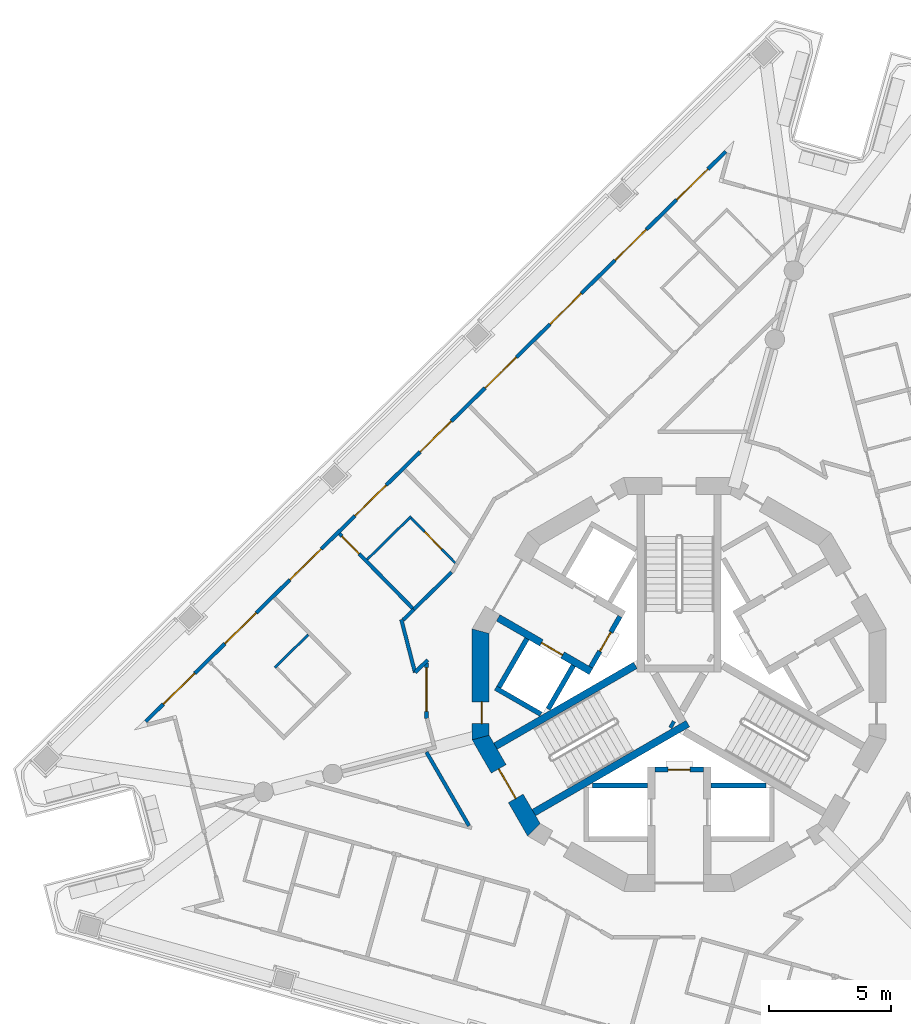
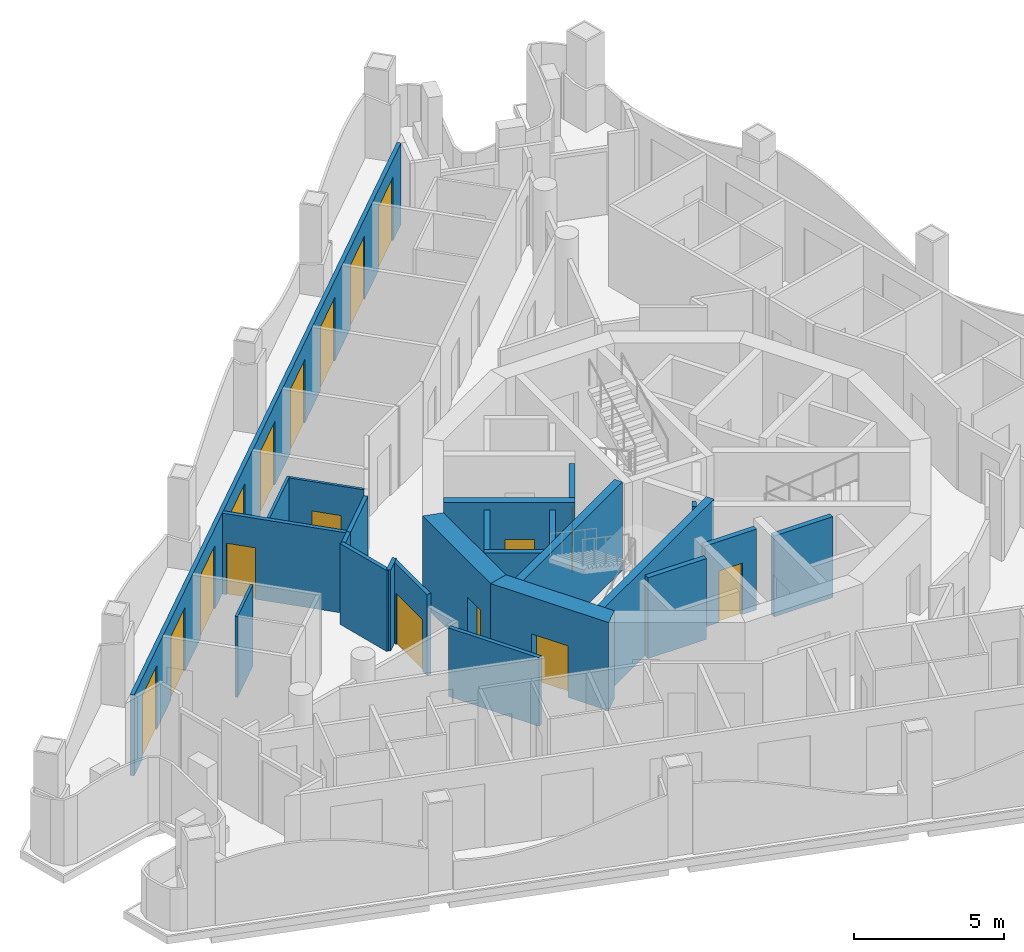
# One storey, part 4 of 15: 24 walls, 17 doors, 17 openings.
"""IFC4 building model written with IfcOpenShell, lengths in metres."""

from ifc_helpers import new_model, si_unit, direction, frame, frame_2d, origin, place, context, subcontext, project, spatial, polyline, rectangle, outline, extrude, material, layer, layer_set, type_object, element, fill, save


model = new_model("IFC4")

# Units and contexts
model_context = context("Model", 3, precision=1e-05, world=origin(), true_north=direction((0.0, 1.0)))
body_context = subcontext(model_context, "Body", "Model", "MODEL_VIEW")
ifc_project = project(units=[si_unit("LENGTHUNIT", "METRE"), si_unit("AREAUNIT", "SQUARE_METRE"), si_unit("VOLUMEUNIT", "CUBIC_METRE"), si_unit("PLANEANGLEUNIT", "RADIAN"), si_unit("MASSUNIT", "GRAM", prefix="KILO")], contexts=[model_context])

# Site, building, storey
site_placement = place(None, origin())
site = spatial("IfcSite", under=ifc_project, at=site_placement, CompositionType="ELEMENT")
building_placement = place(site_placement, origin())
building = spatial("IfcBuilding", under=site, at=building_placement, Name="Trine Commons Tower", CompositionType="ELEMENT")
storey_placement = place(building_placement, frame((0.0, 0.0, 260.10009765625)))
storey = spatial("IfcBuildingStorey", under=building, at=storey_placement, Name="L68", CompositionType="ELEMENT", Elevation=260.10009765625)

# Wall, openings, doors
ifc_material_1 = material(Name="Aluminium-framed insulated wall panel", Category="aluminium")
ifc_layer_1 = layer(ifc_material_1, 0.14990234375)
ifc_layer_set_1 = layer_set([ifc_layer_1], Name="Aluminium-framed insulated wall panel")
wall_type_1 = type_object("IfcWallType", Name="Glazed frame wall 150, EI 60", PredefinedType="SOLIDWALL", material=ifc_layer_set_1)
wall_1_placement = place(storey_placement, frame((57.98974609375, 60.867431640625, 0.0), z_axis=(0.0, 0.0, 1.0), x_axis=(0.713254682671, 0.700904956216, 0.0)))
wall_1 = element("IfcWall", 1, at=wall_1_placement, inside=storey, type_object=wall_type_1, Name="Glazed frame wall F1", PredefinedType="SOLIDWALL", context=body_context, shape_type="SweptSolid", body=[
    extrude(outline(polyline([(0.1494140625, 0.074951171875), (0.1494140625, -0.074951171875), (33.536865234375, -0.074951171875), (33.536865234375, 0.074951171875), (0.1494140625, 0.074951171875)])), origin(), (0.0, 0.0, 1.0), 3.2998046875),
])
opening_1_placement = place(wall_1_placement, frame((1.17138671875, 0.0, 0.0)))
opening_1 = element("IfcOpeningElement", 2, at=opening_1_placement, cuts=wall_1, Name="Opening BD-7F1-01", PredefinedType="OPENING", context=body_context, shape_type="SweptSolid", body=[
    extrude(rectangle(XDim=1.800048828125, YDim=2.60009765625, at=frame_2d((0.89990234375, 1.300048828125))), frame((0.0, 0.0849609375, 0.0), z_axis=(0.0, -1.0, 0.0), x_axis=(1.0, 0.0, 0.0)), (0.0, 0.0, 1.0), 0.169921875),
])
opening_2_placement = place(wall_1_placement, frame((4.71435546875, 0.0, 0.0)))
opening_2 = element("IfcOpeningElement", 3, at=opening_2_placement, cuts=wall_1, Name="Opening BD-7F1-02", PredefinedType="OPENING", context=body_context, shape_type="SweptSolid", body=[
    extrude(rectangle(XDim=1.800048828125, YDim=2.60009765625, at=frame_2d((0.89990234375, 1.300048828125))), frame((0.0, 0.0849609375, 0.0), z_axis=(0.0, -1.0, 0.0), x_axis=(1.0, 0.0, 0.0)), (0.0, 0.0, 1.0), 0.169921875),
])
opening_3_placement = place(wall_1_placement, frame((8.457275390625, 0.0, 0.0)))
opening_3 = element("IfcOpeningElement", 4, at=opening_3_placement, cuts=wall_1, Name="Opening BD-7F1-03", PredefinedType="OPENING", context=body_context, shape_type="SweptSolid", body=[
    extrude(rectangle(XDim=1.800048828125, YDim=2.60009765625, at=frame_2d((0.89990234375, 1.300048828125))), frame((0.0, 0.0849609375, 0.0), z_axis=(0.0, -1.0, 0.0), x_axis=(1.0, 0.0, 0.0)), (0.0, 0.0, 1.0), 0.169921875),
])
opening_4_placement = place(wall_1_placement, frame((12.2001953125, 0.0, 0.0)))
opening_4 = element("IfcOpeningElement", 5, at=opening_4_placement, cuts=wall_1, Name="Opening BD-7F1-04", PredefinedType="OPENING", context=body_context, shape_type="SweptSolid", body=[
    extrude(rectangle(XDim=1.800048828125, YDim=2.60009765625, at=frame_2d((0.89990234375, 1.300048828125))), frame((0.0, 0.0849609375, 0.0), z_axis=(0.0, -1.0, 0.0), x_axis=(1.0, 0.0, 0.0)), (0.0, 0.0, 1.0), 0.169921875),
])
opening_5_placement = place(wall_1_placement, frame((15.943115234375, 0.0, 0.0)))
opening_5 = element("IfcOpeningElement", 6, at=opening_5_placement, cuts=wall_1, Name="Opening BD-7F1-05", PredefinedType="OPENING", context=body_context, shape_type="SweptSolid", body=[
    extrude(rectangle(XDim=1.800048828125, YDim=2.60009765625, at=frame_2d((0.89990234375, 1.300048828125))), frame((0.0, 0.0849609375, 0.0), z_axis=(0.0, -1.0, 0.0), x_axis=(1.0, 0.0, 0.0)), (0.0, 0.0, 1.0), 0.169921875),
])
opening_6_placement = place(wall_1_placement, frame((19.68603515625, 0.0, 0.0)))
opening_6 = element("IfcOpeningElement", 7, at=opening_6_placement, cuts=wall_1, Name="Opening BD-7F1-06", PredefinedType="OPENING", context=body_context, shape_type="SweptSolid", body=[
    extrude(rectangle(XDim=1.800048828125, YDim=2.60009765625, at=frame_2d((0.89990234375, 1.300048828125))), frame((0.0, 0.0849609375, 0.0), z_axis=(0.0, -1.0, 0.0), x_axis=(1.0, 0.0, 0.0)), (0.0, 0.0, 1.0), 0.169921875),
])
opening_7_placement = place(wall_1_placement, frame((23.428955078125, 0.0, 0.0)))
opening_7 = element("IfcOpeningElement", 8, at=opening_7_placement, cuts=wall_1, Name="Opening BD-7F1-07", PredefinedType="OPENING", context=body_context, shape_type="SweptSolid", body=[
    extrude(rectangle(XDim=1.800048828125, YDim=2.60009765625, at=frame_2d((0.89990234375, 1.300048828125))), frame((0.0, 0.0849609375, 0.0), z_axis=(0.0, -1.0, 0.0), x_axis=(1.0, 0.0, 0.0)), (0.0, 0.0, 1.0), 0.169921875),
])
opening_8_placement = place(wall_1_placement, frame((27.171875, 0.0, 0.0)))
opening_8 = element("IfcOpeningElement", 9, at=opening_8_placement, cuts=wall_1, Name="Opening BD-7F1-08", PredefinedType="OPENING", context=body_context, shape_type="SweptSolid", body=[
    extrude(rectangle(XDim=1.800048828125, YDim=2.60009765625, at=frame_2d((0.89990234375, 1.300048828125))), frame((0.0, 0.0849609375, 0.0), z_axis=(0.0, -1.0, 0.0), x_axis=(1.0, 0.0, 0.0)), (0.0, 0.0, 1.0), 0.169921875),
])
opening_9_placement = place(wall_1_placement, frame((30.714599609375, 0.0, 0.0)))
opening_9 = element("IfcOpeningElement", 10, at=opening_9_placement, cuts=wall_1, Name="Opening BD-7F1-09", PredefinedType="OPENING", context=body_context, shape_type="SweptSolid", body=[
    extrude(rectangle(XDim=1.800048828125, YDim=2.60009765625, at=frame_2d((0.89990234375, 1.300048828125))), frame((0.0, 0.0849609375, 0.0), z_axis=(0.0, -1.0, 0.0), x_axis=(1.0, 0.0, 0.0)), (0.0, 0.0, 1.0), 0.169921875),
])
ifc_material_2 = material(Name="Anodised aluminium frame with double glazing", Category="aluminium")
door_type_1 = type_object("IfcDoorType", Name="Sliding loggia door 1800x2600", OperationType="SLIDING_TO_LEFT", PredefinedType="DOOR", material=ifc_material_2)
door_1_placement = place(opening_1_placement, origin())
door_1 = element("IfcDoor", 11, at=door_1_placement, inside=storey, type_object=door_type_1, Name="Loggia door F1 1", OperationType="SLIDING_TO_LEFT", OverallHeight=2.60009765625, OverallWidth=1.800048828125, PredefinedType="DOOR", context=body_context, shape_type="SweptSolid", body=[
    extrude(rectangle(XDim=1.800048828125, YDim=2.60009765625, at=frame_2d((0.89990234375, 1.300048828125))), frame((0.0, 0.02490234375, 0.0), z_axis=(0.0, -1.0, 0.0), x_axis=(1.0, 0.0, 0.0)), (0.0, 0.0, 1.0), 0.050048828125),
])
fill(opening_1, door_1)
door_2_placement = place(opening_2_placement, origin())
door_2 = element("IfcDoor", 12, at=door_2_placement, inside=storey, type_object=door_type_1, Name="Loggia door F1 2", OperationType="SLIDING_TO_LEFT", OverallHeight=2.60009765625, OverallWidth=1.800048828125, PredefinedType="DOOR", context=body_context, shape_type="SweptSolid", body=[
    extrude(rectangle(XDim=1.800048828125, YDim=2.60009765625, at=frame_2d((0.89990234375, 1.300048828125))), frame((0.0, 0.02490234375, 0.0), z_axis=(0.0, -1.0, 0.0), x_axis=(1.0, 0.0, 0.0)), (0.0, 0.0, 1.0), 0.050048828125),
])
fill(opening_2, door_2)
door_3_placement = place(opening_3_placement, origin())
door_3 = element("IfcDoor", 13, at=door_3_placement, inside=storey, type_object=door_type_1, Name="Loggia door F1 3", OperationType="SLIDING_TO_LEFT", OverallHeight=2.60009765625, OverallWidth=1.800048828125, PredefinedType="DOOR", context=body_context, shape_type="SweptSolid", body=[
    extrude(rectangle(XDim=1.800048828125, YDim=2.60009765625, at=frame_2d((0.89990234375, 1.300048828125))), frame((0.0, 0.02490234375, 0.0), z_axis=(0.0, -1.0, 0.0), x_axis=(1.0, 0.0, 0.0)), (0.0, 0.0, 1.0), 0.050048828125),
])
fill(opening_3, door_3)
door_4_placement = place(opening_4_placement, origin())
door_4 = element("IfcDoor", 14, at=door_4_placement, inside=storey, type_object=door_type_1, Name="Loggia door F1 4", OperationType="SLIDING_TO_LEFT", OverallHeight=2.60009765625, OverallWidth=1.800048828125, PredefinedType="DOOR", context=body_context, shape_type="SweptSolid", body=[
    extrude(rectangle(XDim=1.800048828125, YDim=2.60009765625, at=frame_2d((0.89990234375, 1.300048828125))), frame((0.0, 0.02490234375, 0.0), z_axis=(0.0, -1.0, 0.0), x_axis=(1.0, 0.0, 0.0)), (0.0, 0.0, 1.0), 0.050048828125),
])
fill(opening_4, door_4)
door_5_placement = place(opening_5_placement, origin())
door_5 = element("IfcDoor", 15, at=door_5_placement, inside=storey, type_object=door_type_1, Name="Loggia door F1 5", OperationType="SLIDING_TO_LEFT", OverallHeight=2.60009765625, OverallWidth=1.800048828125, PredefinedType="DOOR", context=body_context, shape_type="SweptSolid", body=[
    extrude(rectangle(XDim=1.800048828125, YDim=2.60009765625, at=frame_2d((0.89990234375, 1.300048828125))), frame((0.0, 0.02490234375, 0.0), z_axis=(0.0, -1.0, 0.0), x_axis=(1.0, 0.0, 0.0)), (0.0, 0.0, 1.0), 0.050048828125),
])
fill(opening_5, door_5)
door_6_placement = place(opening_6_placement, origin())
door_6 = element("IfcDoor", 16, at=door_6_placement, inside=storey, type_object=door_type_1, Name="Loggia door F1 6", OperationType="SLIDING_TO_LEFT", OverallHeight=2.60009765625, OverallWidth=1.800048828125, PredefinedType="DOOR", context=body_context, shape_type="SweptSolid", body=[
    extrude(rectangle(XDim=1.800048828125, YDim=2.60009765625, at=frame_2d((0.89990234375, 1.300048828125))), frame((0.0, 0.02490234375, 0.0), z_axis=(0.0, -1.0, 0.0), x_axis=(1.0, 0.0, 0.0)), (0.0, 0.0, 1.0), 0.050048828125),
])
fill(opening_6, door_6)
door_7_placement = place(opening_7_placement, origin())
door_7 = element("IfcDoor", 17, at=door_7_placement, inside=storey, type_object=door_type_1, Name="Loggia door F1 7", OperationType="SLIDING_TO_LEFT", OverallHeight=2.60009765625, OverallWidth=1.800048828125, PredefinedType="DOOR", context=body_context, shape_type="SweptSolid", body=[
    extrude(rectangle(XDim=1.800048828125, YDim=2.60009765625, at=frame_2d((0.89990234375, 1.300048828125))), frame((0.0, 0.02490234375, 0.0), z_axis=(0.0, -1.0, 0.0), x_axis=(1.0, 0.0, 0.0)), (0.0, 0.0, 1.0), 0.050048828125),
])
fill(opening_7, door_7)
door_8_placement = place(opening_8_placement, origin())
door_8 = element("IfcDoor", 18, at=door_8_placement, inside=storey, type_object=door_type_1, Name="Loggia door F1 8", OperationType="SLIDING_TO_LEFT", OverallHeight=2.60009765625, OverallWidth=1.800048828125, PredefinedType="DOOR", context=body_context, shape_type="SweptSolid", body=[
    extrude(rectangle(XDim=1.800048828125, YDim=2.60009765625, at=frame_2d((0.89990234375, 1.300048828125))), frame((0.0, 0.02490234375, 0.0), z_axis=(0.0, -1.0, 0.0), x_axis=(1.0, 0.0, 0.0)), (0.0, 0.0, 1.0), 0.050048828125),
])
fill(opening_8, door_8)
door_9_placement = place(opening_9_placement, origin())
door_9 = element("IfcDoor", 19, at=door_9_placement, inside=storey, type_object=door_type_1, Name="Loggia door F1 9", OperationType="SLIDING_TO_LEFT", OverallHeight=2.60009765625, OverallWidth=1.800048828125, PredefinedType="DOOR", context=body_context, shape_type="SweptSolid", body=[
    extrude(rectangle(XDim=1.800048828125, YDim=2.60009765625, at=frame_2d((0.89990234375, 1.300048828125))), frame((0.0, 0.02490234375, 0.0), z_axis=(0.0, -1.0, 0.0), x_axis=(1.0, 0.0, 0.0)), (0.0, 0.0, 1.0), 0.050048828125),
])
fill(opening_9, door_9)

# Wall, opening, door
ifc_material_3 = material(Name="Fire-rated gypsum shaft wall system")
ifc_layer_2 = layer(ifc_material_3, 0.199951171875)
ifc_layer_set_2 = layer_set([ifc_layer_2], Name="Fire-rated gypsum shaft wall system")
wall_type_2 = type_object("IfcWallType", Name="Lobby end wall 200 mm, EI 120", PredefinedType="PARTITIONING", material=ifc_layer_set_2)
wall_2_placement = place(storey_placement, frame((77.569091796875, 65.2890625, 0.0), z_axis=(0.0, 0.0, 1.0), x_axis=(-0.50012165622, -0.865955154139, 0.0)))
wall_2 = element("IfcWall", 20, at=wall_2_placement, inside=storey, type_object=wall_type_2, Name="Lobby end wall L68", PredefinedType="PARTITIONING", context=body_context, shape_type="SweptSolid", body=[
    extrude(rectangle(XDim=2.39990234375, YDim=0.199951171875, at=frame_2d((1.199951171875, 0.0))), origin(), (0.0, 0.0, 1.0), 3.2998046875),
])
opening_10_placement = place(wall_2_placement, frame((0.749755859375, 0.0, 0.0)))
opening_10 = element("IfcOpeningElement", 21, at=opening_10_placement, cuts=wall_2, Name="Opening K16.07", PredefinedType="OPENING", context=body_context, shape_type="SweptSolid", body=[
    extrude(rectangle(XDim=0.89990234375, YDim=2.10009765625, at=frame_2d((0.449951171875, 1.050048828125))), frame((0.0, 0.10986328125, 0.0), z_axis=(0.0, -1.0, 0.0), x_axis=(1.0, 0.0, 0.0)), (0.0, 0.0, 1.0), 0.219970703125),
])
ifc_material_4 = material(Name="Steel door leaf, fire-rated", Category="steel")
door_type_2 = type_object("IfcDoorType", Name="Riser access door, single leaf 900 x 2100, FD60", OperationType="SINGLE_SWING_LEFT", PredefinedType="DOOR", material=ifc_material_4)
door_10_placement = place(opening_10_placement, frame((0.89990234375, 0.0, 0.0), z_axis=(0.0, 0.0, 1.0), x_axis=(-1.0, 0.0, 0.0)))
door_10 = element("IfcDoor", 22, at=door_10_placement, inside=storey, type_object=door_type_2, Name="Riser door, Mechanical riser L68", OperationType="SINGLE_SWING_RIGHT", OverallHeight=2.10009765625, OverallWidth=0.89990234375, PredefinedType="DOOR", context=body_context, shape_type="SweptSolid", body=[
    extrude(rectangle(XDim=0.89990234375, YDim=2.10009765625, at=frame_2d((0.449951171875, 1.050048828125))), frame((0.0, 0.02490234375, 0.0), z_axis=(0.0, -1.0, 0.0), x_axis=(1.0, 0.0, 0.0)), (0.0, 0.0, 1.0), 0.050048828125),
])
fill(opening_10, door_10)

wall_3_placement = place(storey_placement, frame((79.0, 59.0, 0.0), z_axis=(0.0, 0.0, 1.0), x_axis=(1.0, 0.0, 0.0)))
wall_3 = element("IfcWall", 23, at=wall_3_placement, inside=storey, type_object=wall_type_2, Name="Lobby end wall L68", PredefinedType="PARTITIONING", context=body_context, shape_type="SweptSolid", body=[
    extrude(rectangle(XDim=2.0, YDim=0.199951171875, at=frame_2d((1.0, 0.0))), origin(), (0.0, 0.0, 1.0), 3.2998046875),
])
opening_11_placement = place(wall_3_placement, frame((0.550048828125, 0.0, 0.0)))
opening_11 = element("IfcOpeningElement", 24, at=opening_11_placement, cuts=wall_3, Name="Opening K16.09", PredefinedType="OPENING", context=body_context, shape_type="SweptSolid", body=[
    extrude(rectangle(XDim=0.89990234375, YDim=2.10009765625, at=frame_2d((0.449951171875, 1.050048828125))), frame((0.0, 0.10986328125, 0.0), z_axis=(0.0, -1.0, 0.0), x_axis=(1.0, 0.0, 0.0)), (0.0, 0.0, 1.0), 0.219970703125),
])
door_11_placement = place(opening_11_placement, frame((0.89990234375, 0.0, 0.0), z_axis=(0.0, 0.0, 1.0), x_axis=(-1.0, 0.0, 0.0)))
door_11 = element("IfcDoor", 25, at=door_11_placement, inside=storey, type_object=door_type_2, Name="Riser door, Communications riser L68", OperationType="SINGLE_SWING_RIGHT", OverallHeight=2.10009765625, OverallWidth=0.89990234375, PredefinedType="DOOR", context=body_context, shape_type="SweptSolid", body=[
    extrude(rectangle(XDim=0.89990234375, YDim=2.10009765625, at=frame_2d((0.449951171875, 1.050048828125))), frame((0.0, 0.02490234375, 0.0), z_axis=(0.0, -1.0, 0.0), x_axis=(1.0, 0.0, 0.0)), (0.0, 0.0, 1.0), 0.050048828125),
])
fill(opening_11, door_11)

ifc_material_5 = material(Name="Concrete C50/60", Category="concrete")
ifc_layer_3 = layer(ifc_material_5, 0.300048828125)
ifc_layer_set_3 = layer_set([ifc_layer_3], Name="Concrete C50/60")
wall_type_3 = type_object("IfcWallType", Name="RC shear wall 300 mm, C50/60", PredefinedType="SHEAR", material=ifc_layer_set_3)
wall_4_placement = place(storey_placement, frame((76.381103515625, 63.031005859375, 0.0), z_axis=(0.0, 0.0, 1.0), x_axis=(-0.866059941101, 0.499940174841, 0.0)))
wall_4 = element("IfcWall", 26, at=wall_4_placement, inside=storey, type_object=wall_type_3, Name="Core cross wall SWC-01 L68", PredefinedType="SHEAR", context=body_context, shape_type="SweptSolid", body=[
    extrude(rectangle(XDim=4.400390625, YDim=0.300048828125, at=frame_2d((2.2001953125, 0.0))), origin(), (0.0, 0.0, 1.0), 3.599853515625),
])
opening_12_placement = place(wall_4_placement, frame((1.350341796875, 0.0, 0.0)))
opening_12 = element("IfcOpeningElement", 27, at=opening_12_placement, cuts=wall_4, Name="Opening LD7", PredefinedType="OPENING", context=body_context, shape_type="SweptSolid", body=[
    extrude(rectangle(XDim=1.0, YDim=2.10009765625, at=frame_2d((0.5, 1.050048828125))), frame((0.0, 0.159912109375, 0.0), z_axis=(0.0, -1.0, 0.0), x_axis=(1.0, 0.0, 0.0)), (0.0, 0.0, 1.0), 0.320068359375),
])
ifc_material_6 = material(Name="Stainless steel sliding door leaves", Category="steel")
door_type_3 = type_object("IfcDoorType", Name="Lift landing door, centre-opening sliding 1000 x 2100, FD90", OperationType="DOUBLE_DOOR_SLIDING", PredefinedType="DOOR", material=ifc_material_6)
door_12_placement = place(opening_12_placement, origin())
door_12 = element("IfcDoor", 28, at=door_12_placement, inside=storey, type_object=door_type_3, Name="Lift landing door HR3 L68", OperationType="DOUBLE_DOOR_SLIDING", OverallHeight=2.10009765625, OverallWidth=1.0, PredefinedType="DOOR", context=body_context, shape_type="SweptSolid", body=[
    extrude(rectangle(XDim=1.0, YDim=2.10009765625, at=frame_2d((0.5, 1.050048828125))), frame((0.0, 0.02490234375, 0.0), z_axis=(0.0, -1.0, 0.0), x_axis=(1.0, 0.0, 0.0)), (0.0, 0.0, 1.0), 0.050048828125),
])
fill(opening_12, door_12)

# Walls
wall_5_placement = place(storey_placement, frame((78.199951171875, 63.280029296875, 0.0), z_axis=(0.0, 0.0, 1.0), x_axis=(-0.866009627307, -0.500027324665, 0.0)))
element("IfcWall", 29, at=wall_5_placement, inside=storey, type_object=wall_type_3, Name="Core cross wall SWC-07 L68", PredefinedType="SHEAR", context=body_context, shape_type="SweptSolid", body=[
    extrude(rectangle(XDim=6.631591796875, YDim=0.300048828125, at=frame_2d((3.31591796875, 0.0))), origin(), (0.0, 0.0, 1.0), 3.599853515625),
])
wall_6_placement = place(storey_placement, frame((79.64599609375, 60.885986328125, 0.0), z_axis=(0.0, 0.0, 1.0), x_axis=(0.867331893649, -0.497730234424, 0.0)))
element("IfcWall", 30, at=wall_6_placement, inside=storey, type_object=wall_type_3, Name="Core cross wall SWC-11 L68", PredefinedType="SHEAR", context=body_context, shape_type="SweptSolid", body=[
    extrude(rectangle(XDim=0.148681640625, YDim=0.300048828125, at=frame_2d((0.07421875, 0.0))), origin(), (0.0, 0.0, 1.0), 3.599853515625),
])
wall_7_placement = place(storey_placement, frame((80.35400390625, 60.885986328125, 0.0), z_axis=(0.0, 0.0, 1.0), x_axis=(-0.866032430508, -0.49998782916, 0.0)))
element("IfcWall", 31, at=wall_7_placement, inside=storey, type_object=wall_type_3, Name="Core cross wall SWC-14 L68", PredefinedType="SHEAR", context=body_context, shape_type="SweptSolid", body=[
    extrude(rectangle(XDim=7.300048828125, YDim=0.300048828125, at=frame_2d((3.64990234375, 0.0))), origin(), (0.0, 0.0, 1.0), 3.599853515625),
])

# Wall, opening, door
ifc_layer_4 = layer(ifc_material_5, 0.699951171875)
ifc_layer_set_4 = layer_set([ifc_layer_4], Name="Concrete C50/60")
wall_type_4 = type_object("IfcWallType", Name="RC shear wall 700 mm, C50/60", PredefinedType="SHEAR", material=ifc_layer_set_4)
wall_8_placement = place(storey_placement, frame((71.849853515625, 64.777587890625, 0.0), z_axis=(0.0, 0.0, 1.0), x_axis=(0.0, -1.0, 0.0)))
wall_8 = element("IfcWall", 32, at=wall_8_placement, inside=storey, type_object=wall_type_4, Name="Core wall CWG-07 L68", PredefinedType="SHEAR", context=body_context, shape_type="SweptSolid", body=[
    extrude(outline(polyline([(0.0, -0.35009765625), (4.55517578125, -0.35009765625), (4.36767578125, 0.35009765625), (0.1875, 0.35009765625), (0.0, -0.35009765625)])), origin(), (0.0, 0.0, 1.0), 3.599853515625),
])
opening_13_placement = place(wall_8_placement, frame((2.99169921875, 0.0, 0.0)))
opening_13 = element("IfcOpeningElement", 33, at=opening_13_placement, cuts=wall_8, Name="Opening K16.14", PredefinedType="OPENING", context=body_context, shape_type="SweptSolid", body=[
    extrude(rectangle(XDim=0.89990234375, YDim=2.10009765625, at=frame_2d((0.449951171875, 1.050048828125))), frame((0.0, 0.35986328125, 0.0), z_axis=(0.0, -1.0, 0.0), x_axis=(1.0, 0.0, 0.0)), (0.0, 0.0, 1.0), 0.719970703125),
])
door_type_4 = type_object("IfcDoorType", Name="Core room door, single leaf 900 x 2100, FD30S", OperationType="SINGLE_SWING_LEFT", PredefinedType="DOOR", material=ifc_material_4)
door_13_placement = place(opening_13_placement, origin())
door_13 = element("IfcDoor", 34, at=door_13_placement, inside=storey, type_object=door_type_4, Name="Door to Pantry L68", OperationType="SINGLE_SWING_RIGHT", OverallHeight=2.10009765625, OverallWidth=0.89990234375, PredefinedType="DOOR", context=body_context, shape_type="SweptSolid", body=[
    extrude(rectangle(XDim=0.89990234375, YDim=2.10009765625, at=frame_2d((0.449951171875, 1.050048828125))), frame((0.0, 0.0751953125, 0.0), z_axis=(0.0, -1.0, 0.0), x_axis=(1.0, 0.0, 0.0)), (0.0, 0.0, 1.0), 0.050048828125),
])
fill(opening_13, door_13)

wall_9_placement = place(storey_placement, frame((71.802978515625, 60.3974609375, 0.0), z_axis=(0.0, 0.0, 1.0), x_axis=(0.499983800959, -0.866034756103, 0.0)))
wall_9 = element("IfcWall", 35, at=wall_9_placement, inside=storey, type_object=wall_type_4, Name="Core wall CWG-08 L68", PredefinedType="SHEAR", context=body_context, shape_type="SweptSolid", body=[
    extrude(outline(polyline([(0.0, -0.35009765625), (4.55517578125, -0.35009765625), (4.36767578125, 0.35009765625), (0.1875, 0.35009765625), (0.0, -0.35009765625)])), origin(), (0.0, 0.0, 1.0), 3.599853515625),
])
opening_14_placement = place(wall_9_placement, frame((1.577392578125, 0.0, 0.0)))
opening_14 = element("IfcOpeningElement", 36, at=opening_14_placement, cuts=wall_9, Name="Opening K16.02", PredefinedType="OPENING", context=body_context, shape_type="SweptSolid", body=[
    extrude(rectangle(XDim=1.39990234375, YDim=2.10009765625, at=frame_2d((0.699951171875, 1.050048828125))), frame((0.0, 0.35986328125, 0.0), z_axis=(0.0, -1.0, 0.0), x_axis=(1.0, 0.0, 0.0)), (0.0, 0.0, 1.0), 0.719970703125),
])
ifc_material_7 = material(Name="Steel door leaves, fire-rated", Category="steel")
door_type_5 = type_object("IfcDoorType", Name="Stair door, double leaf 1400 x 2100, FD90", OperationType="DOUBLE_DOOR_SINGLE_SWING", PredefinedType="DOOR", material=ifc_material_7)
door_14_placement = place(opening_14_placement, origin())
door_14 = element("IfcDoor", 37, at=door_14_placement, inside=storey, type_object=door_type_5, Name="Stair door to Exit stair ST2C L68", OperationType="DOUBLE_DOOR_SINGLE_SWING", OverallHeight=2.10009765625, OverallWidth=1.39990234375, PredefinedType="DOOR", context=body_context, shape_type="SweptSolid", body=[
    extrude(rectangle(XDim=1.39990234375, YDim=2.10009765625, at=frame_2d((0.699951171875, 1.050048828125))), frame((0.0, 0.02490234375, 0.0), z_axis=(0.0, -1.0, 0.0), x_axis=(1.0, 0.0, 0.0)), (0.0, 0.0, 1.0), 0.050048828125),
])
fill(opening_14, door_14)

# Walls
ifc_layer_5 = layer(ifc_material_3, 0.199951171875)
ifc_layer_set_5 = layer_set([ifc_layer_5], Name="Fire-rated gypsum shaft wall system")
wall_type_5 = type_object("IfcWallType", Name="Shaft wall 200 mm, EI 120", PredefinedType="PARTITIONING", material=ifc_layer_set_5)
wall_10_placement = place(storey_placement, frame((73.7509765625, 64.3759765625, 0.0), z_axis=(0.0, 0.0, 1.0), x_axis=(-0.500136062276, -0.86594683394, 0.0)))
element("IfcWall", 38, at=wall_10_placement, inside=storey, type_object=wall_type_5, Name="Shaft wall L68", PredefinedType="PARTITIONING", context=body_context, shape_type="SweptSolid", body=[
    extrude(rectangle(XDim=2.299072265625, YDim=0.199951171875, at=frame_2d((1.1494140625, 0.0))), origin(), (0.0, 0.0, 1.0), 3.2998046875),
])
wall_11_placement = place(storey_placement, frame((74.324951171875, 61.27392578125, 0.0), z_axis=(0.0, 0.0, 1.0), x_axis=(-0.866102336459, 0.499866725018, 0.0)))
element("IfcWall", 39, at=wall_11_placement, inside=storey, type_object=wall_type_5, Name="Shaft wall L68", PredefinedType="PARTITIONING", context=body_context, shape_type="SweptSolid", body=[
    extrude(rectangle(XDim=2.1484375, YDim=0.199951171875, at=frame_2d((1.07421875, 0.0))), origin(), (0.0, 0.0, 1.0), 3.2998046875),
])
wall_12_placement = place(storey_placement, frame((75.656005859375, 63.27587890625, 0.0), z_axis=(0.0, 0.0, 1.0), x_axis=(-0.500271688072, -0.86586848777, 0.0)))
element("IfcWall", 40, at=wall_12_placement, inside=storey, type_object=wall_type_5, Name="Shaft wall L68", PredefinedType="PARTITIONING", context=body_context, shape_type="SweptSolid", body=[
    extrude(rectangle(XDim=2.064697265625, YDim=0.199951171875, at=frame_2d((1.0322265625, 0.0))), origin(), (0.0, 0.0, 1.0), 3.2998046875),
])
for number, where, z_axis, x_axis, name in (
    (41, (78.699951171875, 58.35009765625, 0.0), (0.0, 0.0, 1.0), (-1.0, 0.0, 0.0), "Shaft wall L68"),
    (42, (81.300048828125, 58.35009765625, 0.0), (0.0, 0.0, 1.0), (1.0, 0.0, 0.0), "Shaft wall L68"),
):
    element("IfcWall", number, at=place(storey_placement, frame(where, z_axis=z_axis, x_axis=x_axis)), inside=storey, type_object=wall_type_5, Name=name, PredefinedType="PARTITIONING", context=body_context, shape_type="SweptSolid", body=[
        extrude(rectangle(XDim=2.264892578125, YDim=0.199951171875, at=frame_2d((1.13232421875, 0.0))), origin(), (0.0, 0.0, 1.0), 3.2998046875),
    ])

# Wall, opening, door
ifc_material_8 = material(Name="Gypsum plasterboard on steel stud", Category="steel")
ifc_layer_6 = layer(ifc_material_8, 0.14990234375)
ifc_layer_set_6 = layer_set([ifc_layer_6], Name="Gypsum plasterboard on steel stud")
wall_type_6 = type_object("IfcWallType", Name="Unit and corridor wall 150 mm, EI 60", PredefinedType="PARTITIONING", material=ifc_layer_set_6)
wall_13_placement = place(storey_placement, frame((66.051025390625, 68.6845703125, 0.0), z_axis=(0.0, 0.0, 1.0), x_axis=(0.700808262034, -0.713349689748, 0.0)))
wall_13 = element("IfcWall", 43, at=wall_13_placement, inside=storey, type_object=wall_type_6, Name="Partition 018", PredefinedType="PARTITIONING", context=body_context, shape_type="SweptSolid", body=[
    extrude(rectangle(XDim=4.360595703125, YDim=0.14990234375, at=frame_2d((2.18017578125, 0.0))), origin(), (0.0, 0.0, 1.0), 3.2998046875),
])
opening_15_placement = place(wall_13_placement, frame((0.14990234375, 0.0, 0.0)))
opening_15 = element("IfcOpeningElement", 44, at=opening_15_placement, cuts=wall_13, Name="Opening D-7C05", PredefinedType="OPENING", context=body_context, shape_type="SweptSolid", body=[
    extrude(rectangle(XDim=1.0, YDim=2.10009765625, at=frame_2d((0.5, 1.050048828125))), frame((0.0, 0.0849609375, 0.0), z_axis=(0.0, -1.0, 0.0), x_axis=(1.0, 0.0, 0.0)), (0.0, 0.0, 1.0), 0.169921875),
])
ifc_material_9 = material(Name="Timber fire door set", Category="wood")
door_type_6 = type_object("IfcDoorType", Name="Bedroom door 1000 x 2100, FD30S", OperationType="NOTDEFINED", PredefinedType="DOOR", material=ifc_material_9)
door_15_placement = place(opening_15_placement, origin())
door_15 = element("IfcDoor", 45, at=door_15_placement, inside=storey, type_object=door_type_6, Name="Door D-7C05", OperationType="SINGLE_SWING_LEFT", OverallHeight=2.10009765625, OverallWidth=1.0, PredefinedType="DOOR", context=body_context, shape_type="SweptSolid", body=[
    extrude(rectangle(XDim=1.0, YDim=2.10009765625, at=frame_2d((0.5, 1.050048828125))), frame((0.0, 0.02490234375, 0.0), z_axis=(0.0, -1.0, 0.0), x_axis=(1.0, 0.0, 0.0)), (0.0, 0.0, 1.0), 0.050048828125),
])
fill(opening_15, door_15)

# Walls
wall_14_placement = place(storey_placement, frame((68.59326171875, 65.16162109375, 0.0), z_axis=(0.0, 0.0, 1.0), x_axis=(0.250243733249, -0.968182872173, 0.0)))
element("IfcWall", 46, at=wall_14_placement, inside=storey, type_object=wall_type_6, Name="Partition 022", PredefinedType="PARTITIONING", context=body_context, shape_type="SweptSolid", body=[
    extrude(rectangle(XDim=2.240966796875, YDim=0.14990234375, at=frame_2d((1.12060546875, 0.0))), origin(), (0.0, 0.0, 1.0), 3.2998046875),
])
wall_15_placement = place(storey_placement, frame((68.66552734375, 65.1435546875, 0.0), z_axis=(0.0, 0.0, 1.0), x_axis=(0.712591016864, 0.701579676648, 0.0)))
element("IfcWall", 47, at=wall_15_placement, inside=storey, type_object=wall_type_6, Name="Partition 023", PredefinedType="PARTITIONING", context=body_context, shape_type="SweptSolid", body=[
    extrude(rectangle(XDim=0.620849609375, YDim=0.14990234375, at=frame_2d((0.310546875, 0.0))), origin(), (0.0, 0.0, 1.0), 3.2998046875),
])
wall_16_placement = place(storey_placement, frame((69.10205078125, 65.572998046875, 0.0), z_axis=(0.0, 0.0, 1.0), x_axis=(0.713007842216, 0.701156057478, 0.0)))
element("IfcWall", 48, at=wall_16_placement, inside=storey, type_object=wall_type_6, Name="Partition 026", PredefinedType="PARTITIONING", context=body_context, shape_type="SweptSolid", body=[
    extrude(rectangle(XDim=2.18359375, YDim=0.14990234375, at=frame_2d((1.091796875, 0.0))), origin(), (0.0, 0.0, 1.0), 3.2998046875),
])
wall_17_placement = place(storey_placement, frame((69.157958984375, 62.991943359375, 0.0), z_axis=(0.0, 0.0, 1.0), x_axis=(0.712433157826, 0.701739977221, 0.0)))
element("IfcWall", 49, at=wall_17_placement, inside=storey, type_object=wall_type_6, Name="Partition 027", PredefinedType="PARTITIONING", context=body_context, shape_type="SweptSolid", body=[
    extrude(rectangle(XDim=0.730712890625, YDim=0.14990234375, at=frame_2d((0.365234375, 0.0))), origin(), (0.0, 0.0, 1.0), 3.2998046875),
])
wall_18_placement = place(storey_placement, frame((69.625, 59.719970703125, 0.0), z_axis=(0.0, 0.0, 1.0), x_axis=(0.50005889006, -0.865991400923, 0.0)))
element("IfcWall", 50, at=wall_18_placement, inside=storey, type_object=wall_type_6, Name="Partition 030", PredefinedType="PARTITIONING", context=body_context, shape_type="SweptSolid", body=[
    extrude(rectangle(XDim=3.49658203125, YDim=0.14990234375, at=frame_2d((1.748291015625, 0.0))), origin(), (0.0, 0.0, 1.0), 2.7998046875),
])

# Wall, opening, door
wall_19_placement = place(storey_placement, frame((69.625, 61.10498046875, 0.0), z_axis=(0.0, 0.0, 1.0), x_axis=(0.0, 1.0, 0.0)))
wall_19 = element("IfcWall", 51, at=wall_19_placement, inside=storey, type_object=wall_type_6, Name="Partition 032", PredefinedType="PARTITIONING", context=body_context, shape_type="SweptSolid", body=[
    extrude(rectangle(XDim=2.27197265625, YDim=0.14990234375, at=frame_2d((1.135986328125, 0.0))), origin(), (0.0, 0.0, 1.0), 3.2998046875),
])
opening_16_placement = place(wall_19_placement, frame((0.28271484375, 0.0, 0.0)))
opening_16 = element("IfcOpeningElement", 52, at=opening_16_placement, cuts=wall_19, Name="Opening D-7C03", PredefinedType="OPENING", context=body_context, shape_type="SweptSolid", body=[
    extrude(rectangle(XDim=1.800048828125, YDim=2.10009765625, at=frame_2d((0.89990234375, 1.050048828125))), frame((0.0, 0.0849609375, 0.0), z_axis=(0.0, -1.0, 0.0), x_axis=(1.0, 0.0, 0.0)), (0.0, 0.0, 1.0), 0.169921875),
])
door_type_7 = type_object("IfcDoorType", Name="Cluster entrance door 1800 x 2100, double leaf, FD30S", OperationType="DOUBLE_DOOR_DOUBLE_SWING", PredefinedType="DOOR", material=ifc_material_9)
door_16_placement = place(opening_16_placement, origin())
door_16 = element("IfcDoor", 53, at=door_16_placement, inside=storey, type_object=door_type_7, Name="Door D-7C03", OperationType="DOUBLE_DOOR_DOUBLE_SWING", OverallHeight=2.10009765625, OverallWidth=1.800048828125, PredefinedType="DOOR", context=body_context, shape_type="SweptSolid", body=[
    extrude(rectangle(XDim=1.800048828125, YDim=2.10009765625, at=frame_2d((0.89990234375, 1.050048828125))), frame((0.0, 0.02490234375, 0.0), z_axis=(0.0, -1.0, 0.0), x_axis=(1.0, 0.0, 0.0)), (0.0, 0.0, 1.0), 0.050048828125),
])
fill(opening_16, door_16)

# Walls
ifc_layer_7 = layer(ifc_material_8, 0.10009765625)
ifc_layer_set_7 = layer_set([ifc_layer_7], Name="Gypsum plasterboard on steel stud")
wall_type_7 = type_object("IfcWallType", Name="Unit partition 100 mm, no rating", PredefinedType="PARTITIONING", material=ifc_layer_set_7)
wall_20_placement = place(storey_placement, frame((63.3994140625, 63.18994140625, 0.0), z_axis=(0.0, 0.0, 1.0), x_axis=(0.713235134447, 0.700924848319, 0.0)))
element("IfcWall", 54, at=wall_20_placement, inside=storey, type_object=wall_type_7, Name="Partition 008", PredefinedType="PARTITIONING", context=body_context, shape_type="SweptSolid", body=[
    extrude(rectangle(XDim=1.923828125, YDim=0.10009765625, at=frame_2d((0.9619140625, 0.0))), origin(), (0.0, 0.0, 1.0), 3.2998046875),
])
wall_21_placement = place(storey_placement, frame((67.193603515625, 67.628662109375, 0.0), z_axis=(0.0, 0.0, 1.0), x_axis=(0.713364419001, 0.700793268877, 0.0)))
element("IfcWall", 55, at=wall_21_placement, inside=storey, type_object=wall_type_7, Name="Partition 019", PredefinedType="PARTITIONING", context=body_context, shape_type="SweptSolid", body=[
    extrude(rectangle(XDim=2.524658203125, YDim=0.10009765625, at=frame_2d((1.26220703125, 0.0))), origin(), (0.0, 0.0, 1.0), 3.2998046875),
])

# Wall, opening, door
wall_22_placement = place(storey_placement, frame((68.993896484375, 69.327392578125, 0.0), z_axis=(0.0, 0.0, 1.0), x_axis=(0.700815030045, -0.713343040663, 0.0)))
wall_22 = element("IfcWall", 56, at=wall_22_placement, inside=storey, type_object=wall_type_7, Name="Partition 025", PredefinedType="PARTITIONING", context=body_context, shape_type="SweptSolid", body=[
    extrude(rectangle(XDim=2.591796875, YDim=0.10009765625, at=frame_2d((1.2958984375, 0.0))), origin(), (0.0, 0.0, 1.0), 3.2998046875),
])
opening_17_placement = place(wall_22_placement, frame((0.7958984375, 0.0, 0.0)))
opening_17 = element("IfcOpeningElement", 57, at=opening_17_placement, cuts=wall_22, Name="Opening D-7C30", PredefinedType="OPENING", context=body_context, shape_type="SweptSolid", body=[
    extrude(rectangle(XDim=1.0, YDim=2.10009765625, at=frame_2d((0.5, 1.050048828125))), frame((0.0, 0.06005859375, 0.0), z_axis=(0.0, -1.0, 0.0), x_axis=(1.0, 0.0, 0.0)), (0.0, 0.0, 1.0), 0.1201171875),
])
ifc_material_10 = material(Name="Painted timber", Category="wood")
door_type_8 = type_object("IfcDoorType", Name="Internal door 1000 x 2100, NOT RATED", OperationType="NOTDEFINED", PredefinedType="DOOR", material=ifc_material_10)
door_17_placement = place(opening_17_placement, origin())
door_17 = element("IfcDoor", 58, at=door_17_placement, inside=storey, type_object=door_type_8, Name="Door D-7C30", OperationType="SINGLE_SWING_LEFT", OverallHeight=2.10009765625, OverallWidth=1.0, PredefinedType="DOOR", context=body_context, shape_type="SweptSolid", body=[
    extrude(rectangle(XDim=1.0, YDim=2.10009765625, at=frame_2d((0.5, 1.050048828125))), frame((0.0, 0.02490234375, 0.0), z_axis=(0.0, -1.0, 0.0), x_axis=(1.0, 0.0, 0.0)), (0.0, 0.0, 1.0), 0.050048828125),
])
fill(opening_17, door_17)

save(model, "model.ifc")
